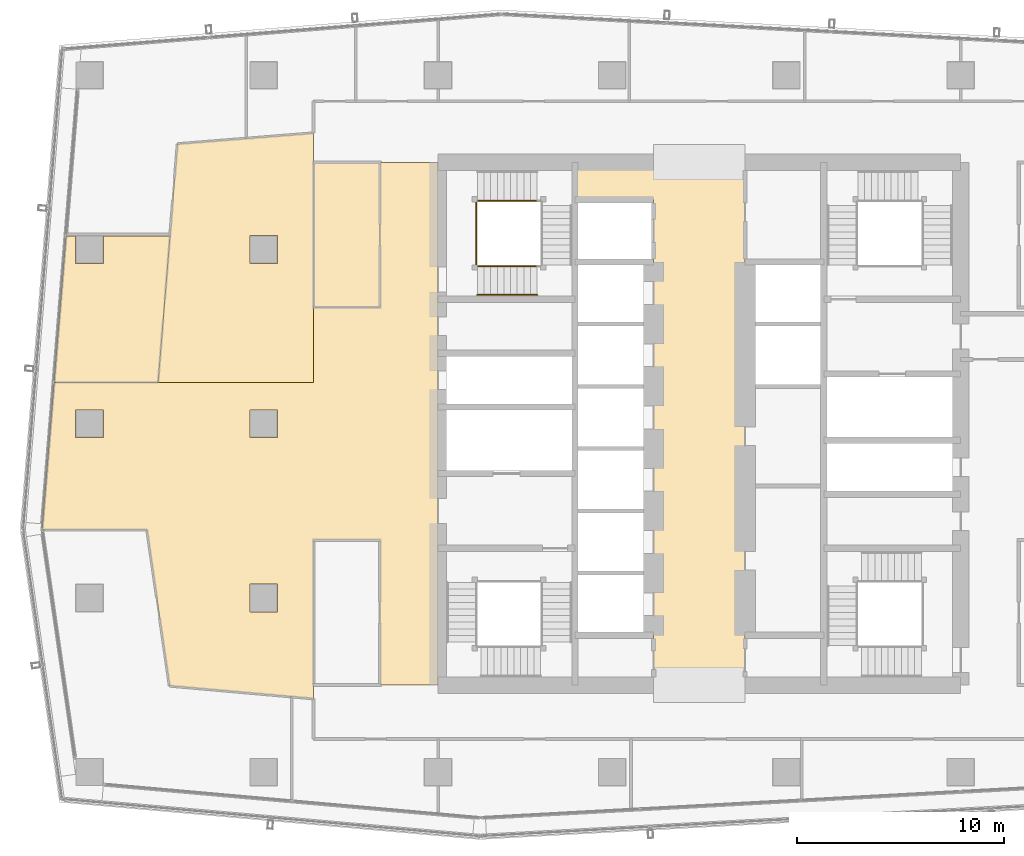
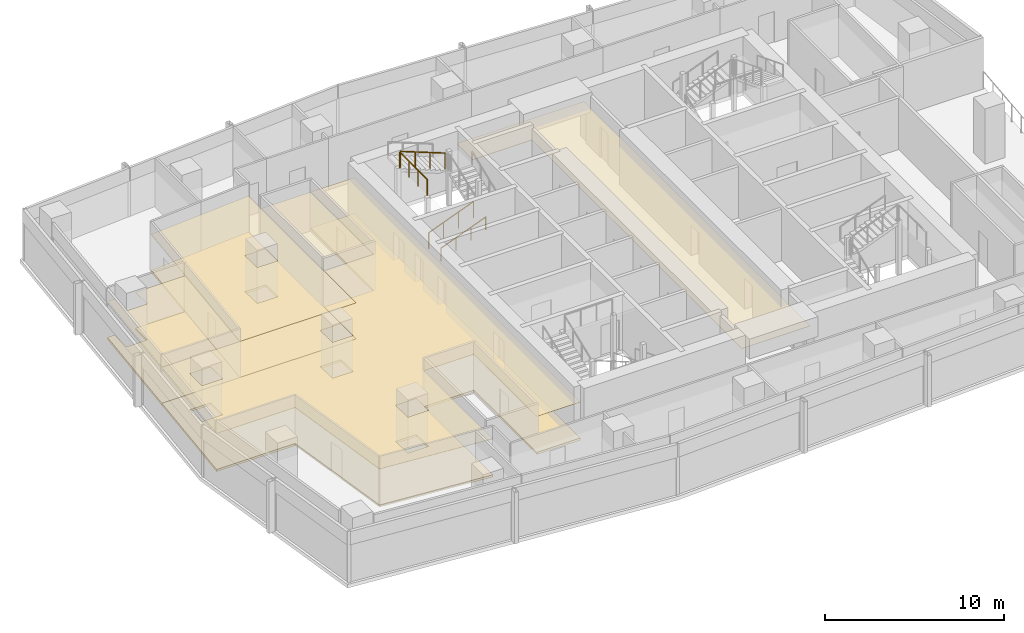
# One storey, part 25 of 28: 8 coverings, 4 railings.
"""IFC4 building model written with IfcOpenShell, lengths in metres."""

from ifc_helpers import new_model, si_unit, direction, frame, origin, origin_2d, place, context, subcontext, project, spatial, polyline, circle, outline, extrude, material, layer, layer_set, type_object, element, save


model = new_model("IFC4")

# Units and contexts
model_context = context("Model", 3, precision=1e-05, world=origin(), true_north=direction((0.0, 1.0)))
body_context = subcontext(model_context, "Body", "Model", "MODEL_VIEW")
ifc_project = project(units=[si_unit("LENGTHUNIT", "METRE"), si_unit("AREAUNIT", "SQUARE_METRE"), si_unit("VOLUMEUNIT", "CUBIC_METRE"), si_unit("PLANEANGLEUNIT", "RADIAN"), si_unit("MASSUNIT", "GRAM", prefix="KILO")], contexts=[model_context])

# Site, building, storey
site_placement = place(None, origin())
site = spatial("IfcSite", under=ifc_project, at=site_placement, CompositionType="ELEMENT")
building_placement = place(site_placement, origin())
building = spatial("IfcBuilding", under=site, at=building_placement, Name="Rekha Terrace Tower", CompositionType="ELEMENT")
storey_placement = place(building_placement, frame((0.0, 0.0, 253.85009765625)))
storey = spatial("IfcBuildingStorey", under=building, at=storey_placement, Name="L64", CompositionType="ELEMENT", Elevation=253.85009765625)

# Coverings
ifc_material_1 = material(Name="Mineral fibre tile in exposed grid", Category="finish")
ifc_layer_1 = layer(ifc_material_1, 0.02001953125)
ifc_layer_set_1 = layer_set([ifc_layer_1], Name="Mineral fibre tile in exposed grid")
covering_type_1 = type_object("IfcCoveringType", Name="CL1 600x1200 office grid ceiling", PredefinedType="CEILING", material=ifc_layer_set_1)
covering_1_placement = place(storey_placement, frame((0.0, 0.0, 2.579833984375)))
element("IfcCovering", 1, at=covering_1_placement, inside=storey, type_object=covering_type_1, Name="Ceiling L64-10", PredefinedType="CEILING", context=body_context, shape_type="SweptSolid", body=[
    extrude(outline(polyline([(7.735107421875, 42.656005859375), (7.26611328125, 42.656005859375), (6.69091796875, 35.590087890625), (11.70703125, 35.590087890625), (12.281982421875, 42.656005859375), (9.06494140625, 42.656005859375), (9.06494140625, 41.3349609375), (7.735107421875, 41.3349609375), (7.735107421875, 42.656005859375)])), origin(), (0.0, 0.0, 1.0), 0.02001953125),
])
covering_2_placement = place(storey_placement, frame((0.0, 0.0, 2.579833984375)))
element("IfcCovering", 2, at=covering_2_placement, inside=storey, type_object=covering_type_1, Name="Ceiling L64-O2", PredefinedType="CEILING", context=body_context, shape_type="SweptSolid", body=[
    extrude(outline(polyline([(12.64306640625, 47.0869140625), (12.281982421875, 42.656005859375), (11.70703125, 35.590087890625), (19.199951171875, 35.590087890625), (19.199951171875, 47.610107421875), (15.93505859375, 47.35009765625), (12.64306640625, 47.0869140625)]), holes=[polyline([(17.465087890625, 41.3349609375), (16.135009765625, 41.3349609375), (16.135009765625, 42.6650390625), (17.465087890625, 42.6650390625), (17.465087890625, 41.3349609375)])]), origin(), (0.0, 0.0, 1.0), 0.02001953125),
])
covering_3_placement = place(storey_placement, frame((0.0, 0.0, 2.579833984375)))
element("IfcCovering", 3, at=covering_3_placement, inside=storey, type_object=covering_type_1, Name="Ceiling L64-O3", PredefinedType="CEILING", context=body_context, shape_type="SweptSolid", body=[
    extrude(outline(polyline([(19.199951171875, 35.590087890625), (6.69091796875, 35.590087890625), (6.115966796875, 28.52294921875), (6.12109375, 28.490966796875), (11.173095703125, 28.490966796875), (12.260986328125, 20.9619140625), (18.14990234375, 20.43896484375), (19.199951171875, 20.345947265625), (19.199951171875, 28.0), (22.39990234375, 28.0), (22.39990234375, 21.0), (25.199951171875, 21.0), (25.199951171875, 46.199951171875), (22.39990234375, 46.199951171875), (22.39990234375, 39.199951171875), (19.199951171875, 39.199951171875), (19.199951171875, 35.590087890625)]), holes=[polyline([(17.465087890625, 25.864990234375), (17.465087890625, 24.534912109375), (16.135009765625, 24.534912109375), (16.135009765625, 25.864990234375), (17.465087890625, 25.864990234375)]), polyline([(17.465087890625, 34.264892578125), (17.465087890625, 32.93505859375), (16.135009765625, 32.93505859375), (16.135009765625, 34.264892578125), (17.465087890625, 34.264892578125)]), polyline([(9.06494140625, 34.264892578125), (9.06494140625, 32.93505859375), (7.735107421875, 32.93505859375), (7.735107421875, 34.264892578125), (9.06494140625, 34.264892578125)])]), origin(), (0.0, 0.0, 1.0), 0.02001953125),
])
ifc_material_2 = material(Name="Fibre cement board", Category="finish")
ifc_layer_2 = layer(ifc_material_2, 0.014892578125)
ifc_layer_set_2 = layer_set([ifc_layer_2], Name="Fibre cement board")
covering_type_2 = type_object("IfcCoveringType", Name="CL2 moisture-resistant board ceiling", PredefinedType="CEILING", material=ifc_layer_set_2)
covering_4_placement = place(storey_placement, frame((0.0, 0.0, 2.5849609375)))
element("IfcCovering", 4, at=covering_4_placement, inside=storey, type_object=covering_type_2, Name="Ceiling L64-WCF2", PredefinedType="CEILING", context=body_context, shape_type="SweptSolid", body=[
    extrude(outline(polyline([(22.39990234375, 46.199951171875), (19.199951171875, 46.199951171875), (19.199951171875, 39.199951171875), (22.39990234375, 39.199951171875), (22.39990234375, 46.199951171875)])), origin(), (0.0, 0.0, 1.0), 0.014892578125),
])
ifc_material_3 = material(Name="Powder-coated aluminium pan", Category="aluminium")
ifc_layer_3 = layer(ifc_material_3, 0.030029296875)
ifc_layer_set_3 = layer_set([ifc_layer_3], Name="Powder-coated aluminium pan")
covering_type_3 = type_object("IfcCoveringType", Name="CL3 300x1200 metal pan ceiling", PredefinedType="CEILING", material=ifc_layer_set_3)
covering_5_placement = place(storey_placement, frame((0.0, 0.0, 2.56982421875)))
element("IfcCovering", 5, at=covering_5_placement, inside=storey, type_object=covering_type_3, Name="Ceiling L64-LOBBY", PredefinedType="CEILING", context=body_context, shape_type="SweptSolid", body=[
    extrude(outline(polyline([(35.60009765625, 44.39990234375), (35.60009765625, 21.0), (40.0, 21.0), (40.0, 46.199951171875), (31.800048828125, 46.199951171875), (31.800048828125, 44.39990234375), (35.60009765625, 44.39990234375)])), origin(), (0.0, 0.0, 1.0), 0.030029296875),
])

# Railings
ifc_material_4 = material(Name="Stainless steel balustrade", Category="steel")
railing_type_1 = type_object("IfcRailingType", Name="GR1 1100 stair guard", PredefinedType="GUARDRAIL", material=ifc_material_4)
railing_1_placement = place(storey_placement, frame((27.10009765625, 41.18994140625, 0.125)))
element("IfcRailing", 6, at=railing_1_placement, inside=storey, type_object=railing_type_1, Name="Guard ST4 L64 flight 1", PredefinedType="GUARDRAIL", context=body_context, shape_type="SweptSolid", body=[
    extrude(circle(Radius=0.02392578125, at=origin_2d()), frame((0.0, 0.0, 1.076171875), z_axis=(0.931452331594, 0.0, 0.363863372667), x_axis=(0.0, 1.0, 0.0)), (0.0, 0.0, 1.0), 3.091796875),
    extrude(circle(Radius=0.02099609375, at=origin_2d()), origin(), (0.0, 0.0, 1.0), 1.052001953125),
    extrude(circle(Radius=0.02099609375, at=origin_2d()), frame((0.9599609375, 0.0, 0.375)), (0.0, 0.0, 1.0), 1.052001953125),
    extrude(circle(Radius=0.02099609375, at=origin_2d()), frame((1.919921875, 0.0, 0.75)), (0.0, 0.0, 1.0), 1.052001953125),
    extrude(circle(Radius=0.02099609375, at=origin_2d()), frame((2.8798828125, 0.0, 1.125)), (0.0, 0.0, 1.0), 1.052001953125),
])
railing_2_placement = place(storey_placement, frame((29.97998046875, 44.360107421875, 2.625)))
element("IfcRailing", 7, at=railing_2_placement, inside=storey, type_object=railing_type_1, Name="Guard ST4 L64 flight 3", PredefinedType="GUARDRAIL", context=body_context, shape_type="SweptSolid", body=[
    extrude(circle(Radius=0.02392578125, at=origin_2d()), frame((0.0, 0.0, 1.076171875), z_axis=(-0.931452331594, 0.0, 0.363863372667), x_axis=(0.0, -1.0, 0.0)), (0.0, 0.0, 1.0), 3.091796875),
    extrude(circle(Radius=0.02099609375, at=origin_2d()), origin(), (0.0, 0.0, 1.0), 1.052001953125),
    extrude(circle(Radius=0.02099609375, at=origin_2d()), frame((-0.9599609375, 0.0, 0.375)), (0.0, 0.0, 1.0), 1.052001953125),
    extrude(circle(Radius=0.02099609375, at=origin_2d()), frame((-1.919921875, 0.0, 0.75)), (0.0, 0.0, 1.0), 1.052001953125),
    extrude(circle(Radius=0.02099609375, at=origin_2d()), frame((-2.8798828125, 0.0, 1.125)), (0.0, 0.0, 1.0), 1.052001953125),
])
railing_3_placement = place(storey_placement, frame((27.0400390625, 41.25, 3.75)))
element("IfcRailing", 8, at=railing_3_placement, inside=storey, type_object=railing_type_1, Name="Guard ST4 L64 landing 4", PredefinedType="GUARDRAIL", context=body_context, shape_type="SweptSolid", body=[
    extrude(circle(Radius=0.02392578125, at=origin_2d()), frame((0.0, 0.0, 1.076171875), z_axis=(0.0, 1.0, 0.0), x_axis=(-1.0, 0.0, 0.0)), (0.0, 0.0, 1.0), 3.050048828125),
    extrude(circle(Radius=0.02099609375, at=origin_2d()), origin(), (0.0, 0.0, 1.0), 1.052001953125),
    extrude(circle(Radius=0.02099609375, at=origin_2d()), frame((0.0, 1.0166015625, 0.0)), (0.0, 0.0, 1.0), 1.052001953125),
    extrude(circle(Radius=0.02099609375, at=origin_2d()), frame((0.0, 2.033447265625, 0.0)), (0.0, 0.0, 1.0), 1.052001953125),
    extrude(circle(Radius=0.02099609375, at=origin_2d()), frame((0.0, 3.050048828125, 0.0)), (0.0, 0.0, 1.0), 1.052001953125),
])
ifc_material_5 = material(Name="Stainless steel tube", Category="steel")
railing_type_2 = type_object("IfcRailingType", Name="HR1 900 stair handrail", PredefinedType="HANDRAIL", material=ifc_material_5)
railing_4_placement = place(storey_placement, frame((27.10009765625, 39.81005859375, 0.125)))
element("IfcRailing", 9, at=railing_4_placement, inside=storey, type_object=railing_type_2, Name="Handrail ST4 L64 flight 1", PredefinedType="HANDRAIL", context=body_context, shape_type="SweptSolid", body=[
    extrude(circle(Radius=0.02392578125, at=origin_2d()), frame((0.0, 0.0, 0.8759765625), z_axis=(0.931452331594, 0.0, 0.363863372667), x_axis=(0.0, 1.0, 0.0)), (0.0, 0.0, 1.0), 3.091796875),
    extrude(circle(Radius=0.02099609375, at=origin_2d()), origin(), (0.0, 0.0, 1.0), 0.851806640625),
    extrude(circle(Radius=0.02099609375, at=origin_2d()), frame((0.9599609375, 0.0, 0.375)), (0.0, 0.0, 1.0), 0.851806640625),
    extrude(circle(Radius=0.02099609375, at=origin_2d()), frame((1.919921875, 0.0, 0.75)), (0.0, 0.0, 1.0), 0.851806640625),
    extrude(circle(Radius=0.02099609375, at=origin_2d()), frame((2.8798828125, 0.0, 1.125)), (0.0, 0.0, 1.0), 0.851806640625),
])

# Coverings
ifc_material_6 = material(Name="Calcium sulphate panels on steel pedestals", Category="steel")
ifc_layer_4 = layer(ifc_material_6, 0.14990234375)
ifc_layer_set_4 = layer_set([ifc_layer_4], Name="Calcium sulphate panels on steel pedestals")
covering_type_4 = type_object("IfcCoveringType", Name="RF1 150 raised access floor", PredefinedType="FLOORING", material=ifc_layer_set_4)
covering_6_placement = place(storey_placement, origin())
element("IfcCovering", 10, at=covering_6_placement, inside=storey, type_object=covering_type_4, Name="Raised floor L64-10", PredefinedType="FLOORING", context=body_context, shape_type="SweptSolid", body=[
    extrude(outline(polyline([(7.735107421875, 42.656005859375), (7.26611328125, 42.656005859375), (6.69091796875, 35.590087890625), (11.70703125, 35.590087890625), (12.281982421875, 42.656005859375), (9.06494140625, 42.656005859375), (9.06494140625, 41.3349609375), (7.735107421875, 41.3349609375), (7.735107421875, 42.656005859375)])), origin(), (0.0, 0.0, 1.0), 0.14990234375),
])
covering_7_placement = place(storey_placement, origin())
element("IfcCovering", 11, at=covering_7_placement, inside=storey, type_object=covering_type_4, Name="Raised floor L64-O2", PredefinedType="FLOORING", context=body_context, shape_type="SweptSolid", body=[
    extrude(outline(polyline([(12.64306640625, 47.0869140625), (12.281982421875, 42.656005859375), (11.70703125, 35.590087890625), (19.199951171875, 35.590087890625), (19.199951171875, 47.610107421875), (15.93505859375, 47.35009765625), (12.64306640625, 47.0869140625)]), holes=[polyline([(17.465087890625, 41.3349609375), (16.135009765625, 41.3349609375), (16.135009765625, 42.6650390625), (17.465087890625, 42.6650390625), (17.465087890625, 41.3349609375)])]), origin(), (0.0, 0.0, 1.0), 0.14990234375),
])
covering_8_placement = place(storey_placement, origin())
element("IfcCovering", 12, at=covering_8_placement, inside=storey, type_object=covering_type_4, Name="Raised floor L64-O3", PredefinedType="FLOORING", context=body_context, shape_type="SweptSolid", body=[
    extrude(outline(polyline([(19.199951171875, 35.590087890625), (6.69091796875, 35.590087890625), (6.115966796875, 28.52294921875), (6.12109375, 28.490966796875), (11.173095703125, 28.490966796875), (12.260986328125, 20.9619140625), (18.14990234375, 20.43896484375), (19.199951171875, 20.345947265625), (19.199951171875, 28.0), (22.39990234375, 28.0), (22.39990234375, 21.0), (25.199951171875, 21.0), (25.199951171875, 46.199951171875), (22.39990234375, 46.199951171875), (22.39990234375, 39.199951171875), (19.199951171875, 39.199951171875), (19.199951171875, 35.590087890625)]), holes=[polyline([(17.465087890625, 25.864990234375), (17.465087890625, 24.534912109375), (16.135009765625, 24.534912109375), (16.135009765625, 25.864990234375), (17.465087890625, 25.864990234375)]), polyline([(17.465087890625, 34.264892578125), (17.465087890625, 32.93505859375), (16.135009765625, 32.93505859375), (16.135009765625, 34.264892578125), (17.465087890625, 34.264892578125)]), polyline([(9.06494140625, 34.264892578125), (9.06494140625, 32.93505859375), (7.735107421875, 32.93505859375), (7.735107421875, 34.264892578125), (9.06494140625, 34.264892578125)])]), origin(), (0.0, 0.0, 1.0), 0.14990234375),
])

save(model, "model.ifc")
